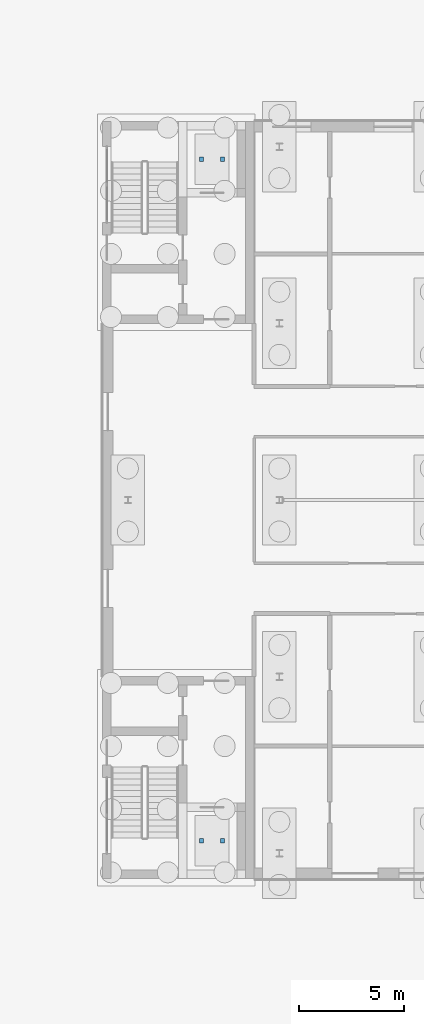
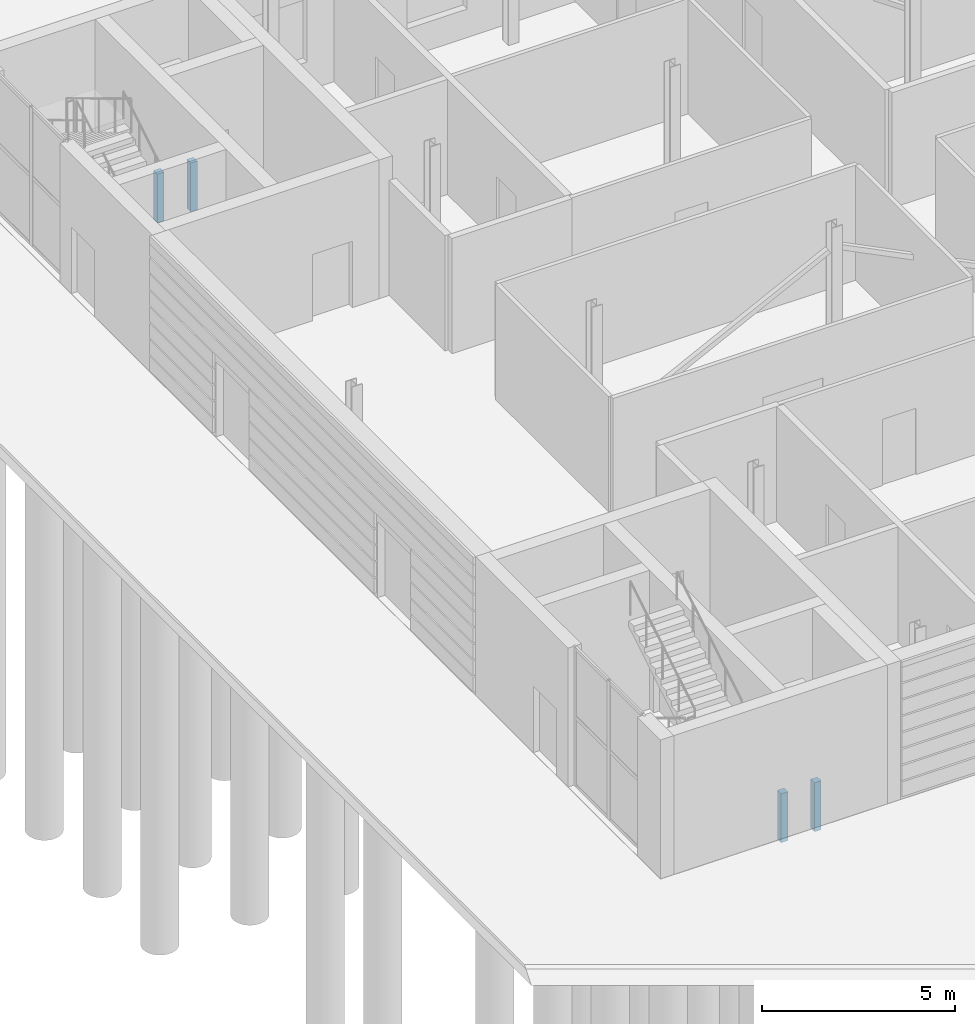
# One storey, part 93 of 139: 4 discrete accessories.
"""IFC4 building model written with IfcOpenShell, lengths in metres."""

from ifc_helpers import new_model, si_unit, direction, frame, origin, origin_2d, place, context, subcontext, project, spatial, rectangle, extrude, material, type_object, element, save


model = new_model("IFC4")

# Units and contexts
model_context = context("Model", 3, precision=1e-05, world=origin(), true_north=direction((0.0, 1.0)))
body_context = subcontext(model_context, "Body", "Model", "MODEL_VIEW")
ifc_project = project(units=[si_unit("LENGTHUNIT", "METRE"), si_unit("AREAUNIT", "SQUARE_METRE"), si_unit("VOLUMEUNIT", "CUBIC_METRE"), si_unit("PLANEANGLEUNIT", "RADIAN"), si_unit("MASSUNIT", "GRAM", prefix="KILO")], contexts=[model_context])

# Site, building, storey
site_placement = place(None, origin())
site = spatial("IfcSite", under=ifc_project, at=site_placement, CompositionType="ELEMENT")
building_placement = place(site_placement, origin())
building = spatial("IfcBuilding", under=site, at=building_placement, Name="Verrick Yard Athletic Hall", CompositionType="ELEMENT")
storey_placement = place(building_placement, origin())
storey = spatial("IfcBuildingStorey", under=building, at=storey_placement, Name="L00", CompositionType="ELEMENT", Elevation=0.0)

# Discrete accessories
ifc_material = material(Name="Stainless steel", Category="steel")
discrete_accessory_type = type_object("IfcDiscreteAccessoryType", Name="Lift buffer stand", PredefinedType="BRACKET", material=ifc_material)
for number, where, z_axis, x_axis, name in (
    (1, (14.699951171875, 19.800048828125, -1.5), (0.0, 0.0, 1.0), (1.0, 0.0, 0.0), "Buffer stand Wing south-west 1"),
    (2, (15.699951171875, 19.800048828125, -1.5), (0.0, 0.0, 1.0), (1.0, 0.0, 0.0), "Buffer stand Wing south-west 2"),
    (3, (14.699951171875, 52.199951171875, -1.5), (0.0, 0.0, 1.0), (1.0, 0.0, 0.0), "Buffer stand Wing north-west 1"),
    (4, (15.699951171875, 52.199951171875, -1.5), (0.0, 0.0, 1.0), (1.0, 0.0, 0.0), "Buffer stand Wing north-west 2"),
):
    element("IfcDiscreteAccessory", number, at=place(storey_placement, frame(where, z_axis=z_axis, x_axis=x_axis)), inside=storey, type_object=discrete_accessory_type, Name=name, PredefinedType="BRACKET", context=body_context, shape_type="SweptSolid", body=[
        extrude(rectangle(XDim=0.199951171875, YDim=0.199951171875, at=origin_2d()), origin(), (0.0, 0.0, 1.0), 1.550048828125),
    ])

save(model, "model.ifc")
